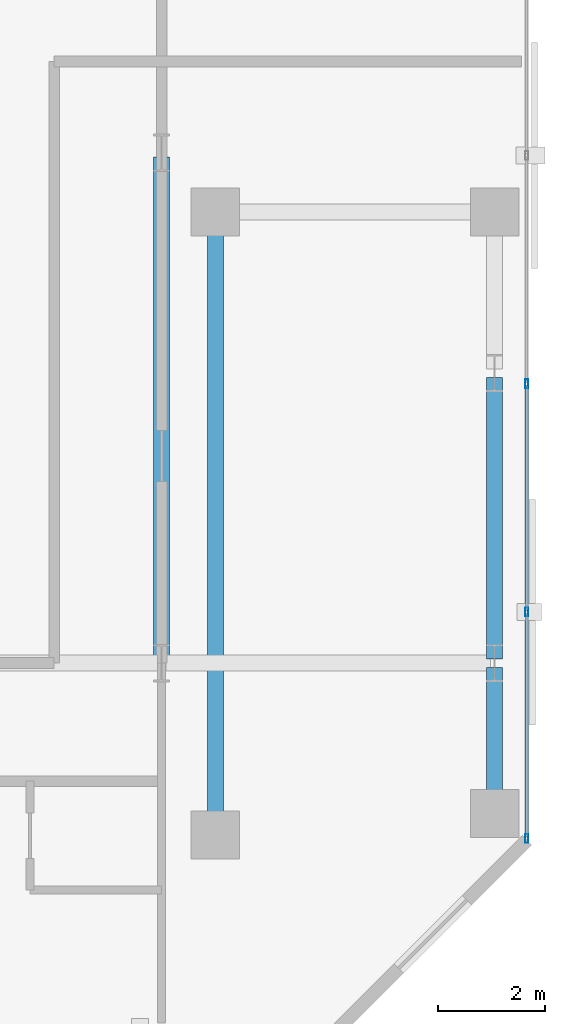
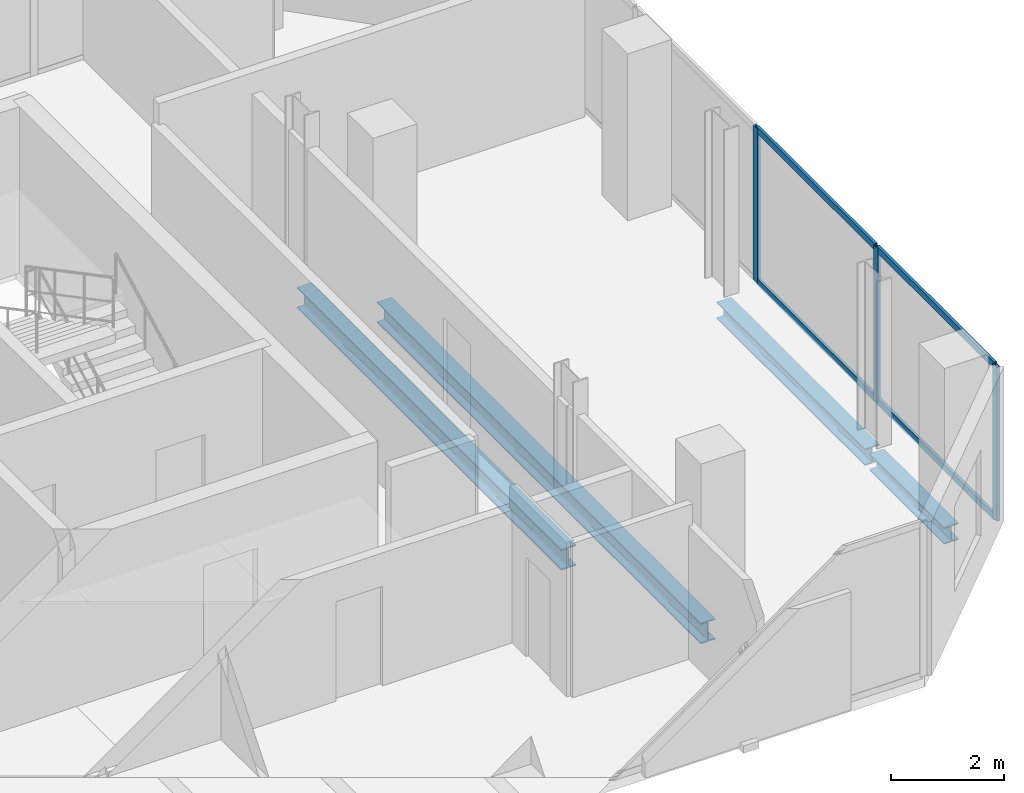
# One storey, part 16 of 33: 7 members, 4 beams, 1 element without a shape of its own.
"""IFC4 building model written with IfcOpenShell, lengths in metres."""

import ifcopenshell
import ifcopenshell.guid

model = None  # the IFC model being written
_history = None  # IfcOwnerHistory: only IFC2X3 demands one
_inside = {}  # id of a spatial element -> (the spatial element, [elements in it])
_under = {}  # id of a project, library or spatial element -> (it, [spatial elements below it])
_declared = {}  # id of a project -> (the project, [libraries it declares])
_typed = {}  # id of a type object -> (the type object, [elements of that type])
_made_of = {}  # id of a material, layer set ... -> (it, [elements and type objects made of it])


def new_model(schema):
    """Start an empty IFC model of exactly this schema.

    Asked for "IFC4X3", IfcOpenShell would pick the latest addendum, in which some entities
    have other attributes; the version numbers below select the first issue.
    IFC2X3 requires an IfcOwnerHistory on every rooted entity: one is made here for all.
    """
    global model, _history
    if schema == "IFC4X3":
        model = ifcopenshell.file(schema_version=(4, 3, 0, 0))
    else:
        model = ifcopenshell.file(schema=schema)
    _inside.clear()
    _under.clear()
    _declared.clear()
    _typed.clear()
    _made_of.clear()
    _history = None
    if model.schema == "IFC2X3":
        org = make("IfcOrganization", Name="unknown")
        user = make(
            "IfcPersonAndOrganization",
            ThePerson=make("IfcPerson", FamilyName="unknown"),
            TheOrganization=org,
        )
        app = make(
            "IfcApplication",
            ApplicationDeveloper=org,
            Version="unknown",
            ApplicationFullName="unknown",
            ApplicationIdentifier="unknown",
        )
        _history = make(
            "IfcOwnerHistory",
            OwningUser=user,
            OwningApplication=app,
            ChangeAction="ADDED",
            CreationDate=0,
        )
    return model


def make(cls, **values):
    """One entity of the class cls with the attributes given. An attribute that is None is left unset."""
    return model.create_entity(
        cls, **{name: value for name, value in values.items() if value is not None}
    )


def rooted(cls, **values):
    """An entity with a GlobalId (a new one), such as an element, a storey or a relation."""
    return make(cls, GlobalId=ifcopenshell.guid.new(), OwnerHistory=_history, **values)


def si_unit(unit_type, name, prefix=None):
    """IfcSIUnit, for example si_unit("LENGTHUNIT", "METRE", prefix="MILLI")."""
    return make("IfcSIUnit", UnitType=unit_type, Prefix=prefix, Name=name)


def assignment(units):
    """IfcUnitAssignment: the units of a project."""
    return None if units is None else make("IfcUnitAssignment", Units=units)


def point(xyz):
    """IfcCartesianPoint."""
    return None if xyz is None else make("IfcCartesianPoint", Coordinates=xyz)


def direction(xyz):
    """IfcDirection."""
    return None if xyz is None else make("IfcDirection", DirectionRatios=xyz)


def frame(location, z_axis=None, x_axis=None):
    """IfcAxis2Placement3D, a coordinate frame: its origin and axes. An axis left out is left unset."""
    return make(
        "IfcAxis2Placement3D",
        Location=point(location),
        Axis=direction(z_axis),
        RefDirection=direction(x_axis),
    )


def frame_2d(location, x_axis=None):
    """IfcAxis2Placement2D, a coordinate frame in the plane: its origin and x axis."""
    return make(
        "IfcAxis2Placement2D", Location=point(location), RefDirection=direction(x_axis)
    )


def origin():
    """The frame at (0, 0, 0) with its axes left unset."""
    return frame((0.0, 0.0, 0.0))


def origin_2d():
    """The frame at (0, 0) in the plane with its x axis left unset."""
    return frame_2d((0.0, 0.0))


def place(relative_to, where):
    """IfcLocalPlacement: puts the frame where relative to a parent placement (None: the world)."""
    return make(
        "IfcLocalPlacement", PlacementRelTo=relative_to, RelativePlacement=where
    )


def context(
    kind, dimensions, precision=None, world=None, true_north=None, identifier=None
):
    """IfcGeometricRepresentationContext, for example the 3D "Model" context."""
    return make(
        "IfcGeometricRepresentationContext",
        ContextIdentifier=identifier,
        ContextType=kind,
        CoordinateSpaceDimension=dimensions,
        Precision=precision,
        WorldCoordinateSystem=world,
        TrueNorth=true_north,
    )


def subcontext(parent, identifier, kind, view, scale=None):
    """IfcGeometricRepresentationSubContext, for example "Body" below "Model"."""
    return make(
        "IfcGeometricRepresentationSubContext",
        ContextIdentifier=identifier,
        ContextType=kind,
        ParentContext=parent,
        TargetScale=scale,
        TargetView=view,
    )


def project(units=None, contexts=None):
    """IfcProject with its units and contexts."""
    return rooted(
        "IfcProject",
        Name="project",
        RepresentationContexts=contexts,
        UnitsInContext=assignment(units),
    )


def spatial(cls, under=None, at=None, **own):
    """A site, building, storey or space (cls), placed at a placement, below another one or the project."""
    s = rooted(cls, ObjectPlacement=at, **own)
    if under is not None:
        _under.setdefault(under.id(), (under, []))[1].append(s)
    return s


def profile(cls, at=None, kind="AREA", **sizes):
    """A parametric profile (cls). Its sizes go by their IFC names, for example OverallWidth=200.0."""
    return make(cls, ProfileType=kind, Position=at, **sizes)


def hollow_rectangle(**sizes):
    """IfcRectangleHollowProfileDef."""
    return profile("IfcRectangleHollowProfileDef", **sizes)


def i_section(**sizes):
    """IfcIShapeProfileDef."""
    return profile("IfcIShapeProfileDef", **sizes)


def extrude(swept, where, along, depth):
    """IfcExtrudedAreaSolid: the profile swept, set in the frame where, extruded along a direction by depth."""
    return make(
        "IfcExtrudedAreaSolid",
        SweptArea=swept,
        Position=where,
        ExtrudedDirection=direction(along),
        Depth=depth,
    )


def shape(context_of_items, identifier, shape_type, items):
    """IfcShapeRepresentation: the items that make up one representation, for example the "Body"."""
    return make(
        "IfcShapeRepresentation",
        ContextOfItems=context_of_items,
        RepresentationIdentifier=identifier,
        RepresentationType=shape_type,
        Items=items,
    )


def material(Name=None, Category=None):
    """IfcMaterial."""
    return make("IfcMaterial", Name=Name, Category=Category)


def layer(
    of_material, thickness, ventilated=None, Name=None, Category=None, Priority=None
):
    """IfcMaterialLayer: one layer of a wall or slab, of a material (None: an air gap)."""
    return make(
        "IfcMaterialLayer",
        Material=of_material,
        LayerThickness=thickness,
        IsVentilated=ventilated,
        Name=Name,
        Category=Category,
        Priority=Priority,
    )


def layer_set(layers, Name=None):
    """IfcMaterialLayerSet."""
    return make("IfcMaterialLayerSet", MaterialLayers=layers, LayerSetName=Name)


def material_profile(
    of_material, cross_section, Name=None, Category=None, Priority=None
):
    """IfcMaterialProfile: a cross section and its material."""
    return make(
        "IfcMaterialProfile",
        Name=Name,
        Material=of_material,
        Profile=cross_section,
        Priority=Priority,
        Category=Category,
    )


def profile_set(profiles, Name=None, composite=None):
    """IfcMaterialProfileSet."""
    return make(
        "IfcMaterialProfileSet",
        Name=Name,
        MaterialProfiles=profiles,
        CompositeProfile=composite,
    )


def made_of(thing, what):
    """Note that an element or type object is made of a material, layer set ...; save() writes the relation."""
    if what is not None:
        _made_of.setdefault(what.id(), (what, []))[1].append(thing)
    return thing


def type_object(cls, material=None, **own):
    """A type object (cls), such as IfcWallType, which elements share."""
    return made_of(rooted(cls, **own), material)


def element(
    cls,
    number,
    at=None,
    inside=None,
    cuts=None,
    type_object=None,
    material=None,
    context=None,
    identifier="Body",
    shape_type=None,
    held_by="IfcProductDefinitionShape",
    body=None,
    shapes=None,
    **own,
):
    """One element of the class cls, such as IfcWall. Its Tag is "e" and its number.

    at: its placement. inside: the storey or other place that contains it. cuts: it is an
    opening in that element (IfcRelVoidsElement). A single representation is given by context,
    identifier, shape_type and body (its items); several are given by shapes. held_by: the class
    of the entity that holds the representations. save() writes the other relations.
    """
    e = rooted(cls, Tag="e%d" % number, ObjectPlacement=at, **own)
    if body is not None:
        shapes = [shape(context, identifier, shape_type, body)]
    if shapes is not None:
        e.Representation = make(held_by, Representations=shapes)
    if inside is not None:
        _inside.setdefault(inside.id(), (inside, []))[1].append(e)
    if cuts is not None:
        rooted(
            "IfcRelVoidsElement", RelatingBuildingElement=cuts, RelatedOpeningElement=e
        )
    if type_object is not None:
        _typed.setdefault(type_object.id(), (type_object, []))[1].append(e)
    return made_of(e, material)


def aggregate(whole, parts):
    """IfcRelAggregates: a whole, such as a stair, and the parts it consists of."""
    return rooted("IfcRelAggregates", RelatingObject=whole, RelatedObjects=parts)


def save(model, path):
    """Write the relations noted so far, then the file.

    IfcRelAggregates (storeys below a building ...), IfcRelContainedInSpatialStructure (elements
    in a storey), IfcRelDefinesByType, IfcRelAssociatesMaterial and IfcRelDeclares: one each for
    every whole, place, type object, material and project.
    """
    for whole, parts in _under.values():
        aggregate(whole, parts)
    for where, things in _inside.values():
        rooted(
            "IfcRelContainedInSpatialStructure",
            RelatedElements=things,
            RelatingStructure=where,
        )
    for kind, things in _typed.values():
        rooted("IfcRelDefinesByType", RelatedObjects=things, RelatingType=kind)
    for what, things in _made_of.values():
        rooted("IfcRelAssociatesMaterial", RelatedObjects=things, RelatingMaterial=what)
    for by, libraries in _declared.values():
        rooted("IfcRelDeclares", RelatingContext=by, RelatedDefinitions=libraries)
    model.write(path)


model = new_model("IFC4")

# Units and contexts
model_context = context("Model", 3, precision=1e-05, world=origin(), true_north=direction((0.0, 1.0)))
body_context = subcontext(model_context, "Body", "Model", "MODEL_VIEW")
ifc_project = project(units=[si_unit("LENGTHUNIT", "METRE"), si_unit("AREAUNIT", "SQUARE_METRE"), si_unit("VOLUMEUNIT", "CUBIC_METRE"), si_unit("PLANEANGLEUNIT", "RADIAN"), si_unit("MASSUNIT", "GRAM", prefix="KILO")], contexts=[model_context])

# Site, building, storey
site_placement = place(None, origin())
site = spatial("IfcSite", under=ifc_project, at=site_placement, CompositionType="ELEMENT")
building_placement = place(site_placement, origin())
building = spatial("IfcBuilding", under=site, at=building_placement, Name="Catumbela Crestline Tower", CompositionType="ELEMENT")
storey_placement = place(building_placement, frame((0.0, 0.0, 104.4)))
storey = spatial("IfcBuildingStorey", under=building, at=storey_placement, Name="L26", CompositionType="ELEMENT", Elevation=104.4)

# Beams
ifc_material_1 = material(Name="Structural steel S355J2", Category="steel")
ifc_material_profile_1 = material_profile(ifc_material_1, i_section(OverallWidth=0.3, OverallDepth=0.45, WebThickness=0.014, FlangeThickness=0.026, FilletRadius=0.027, at=origin_2d()), Name="HEB 450")
ifc_profile_set_1 = profile_set([ifc_material_profile_1], Name="Structural steel S355J2")
beam_type_1 = type_object("IfcBeamType", Name="BG-HEB450", PredefinedType="BEAM", material=ifc_profile_set_1)
beam_1_placement = place(storey_placement, frame((44.2, 30.88, -0.485), z_axis=(0.0, 1.0, 0.0), x_axis=(-1.0, 0.0, 0.0)))
element("IfcBeam", 1, at=beam_1_placement, inside=storey, type_object=beam_type_1, Name="L26 Beam BM-L26-SN32", PredefinedType="BEAM", context=body_context, shape_type="SweptSolid", body=[
    extrude(i_section(OverallWidth=0.3, OverallDepth=0.45, WebThickness=0.014, FlangeThickness=0.026, FilletRadius=0.027, at=origin_2d()), origin(), (0.0, 0.0, 1.0), 9.34),
])
beam_2_placement = place(storey_placement, frame((45.2, 27.68, -0.485), z_axis=(0.0, 1.0, 0.0), x_axis=(-1.0, 0.0, 0.0)))
element("IfcBeam", 2, at=beam_2_placement, inside=storey, type_object=beam_type_1, Name="L26 Beam BM-L26-SN33", PredefinedType="BEAM", context=body_context, shape_type="SweptSolid", body=[
    extrude(i_section(OverallWidth=0.3, OverallDepth=0.45, WebThickness=0.014, FlangeThickness=0.026, FilletRadius=0.027, at=origin_2d()), origin(), (0.0, 0.0, 1.0), 11.44),
])

# Curtain wall, members
ifc_material_2 = material(Name="Aluminium alloy AW-6060-T66", Category="aluminium")
ifc_layer = layer(ifc_material_2, 0.18, Name="Aluminium alloy AW-6060-T66")
ifc_layer_set = layer_set([ifc_layer], Name="Aluminium alloy AW-6060-T66")
curtain_wall_type = type_object("IfcCurtainWallType", Name="CWU-Z2", PredefinedType="USERDEFINED", material=ifc_layer_set)
curtain_wall_placement = place(storey_placement, origin())
curtain_wall = element("IfcCurtainWall", 3, at=curtain_wall_placement, inside=storey, type_object=curtain_wall_type, Name="L26 Unitised Curtain Wall CW-L26-E5S1", ObjectType="UNITISED", PredefinedType="USERDEFINED")
ifc_material_profile_2 = material_profile(ifc_material_2, hollow_rectangle(XDim=0.06, YDim=0.16, WallThickness=0.004, at=origin_2d()), Name="ALU 160x60x4")
ifc_profile_set_2 = profile_set([ifc_material_profile_2], Name="Aluminium alloy AW-6060-T66")
member_type_1 = type_object("IfcMemberType", Name="MUL-160X60", PredefinedType="MULLION", material=ifc_profile_set_2)
member_1_placement = place(storey_placement, frame((51.0, 27.5325, 0.0), z_axis=(0.0, 0.0, 1.0), x_axis=(-1.0, 0.0, 0.0)))
member_1 = element("IfcMember", 4, at=member_1_placement, type_object=member_type_1, Name="CWU-Z2 mullion 1", PredefinedType="MULLION", context=body_context, shape_type="SweptSolid", body=[
    extrude(hollow_rectangle(XDim=0.06, YDim=0.16, WallThickness=0.004, at=origin_2d()), origin(), (0.0, 0.0, 1.0), 3.33),
])
member_2_placement = place(storey_placement, frame((51.0, 31.75, 0.0), z_axis=(0.0, 0.0, 1.0), x_axis=(-1.0, 0.0, 0.0)))
member_2 = element("IfcMember", 5, at=member_2_placement, type_object=member_type_1, Name="CWU-Z2 mullion 2", PredefinedType="MULLION", context=body_context, shape_type="SweptSolid", body=[
    extrude(hollow_rectangle(XDim=0.06, YDim=0.16, WallThickness=0.004, at=origin_2d()), origin(), (0.0, 0.0, 1.0), 3.33),
])
member_3_placement = place(storey_placement, frame((51.0, 36.0, 0.0), z_axis=(0.0, 0.0, 1.0), x_axis=(-1.0, 0.0, 0.0)))
member_3 = element("IfcMember", 6, at=member_3_placement, type_object=member_type_1, Name="CWU-Z2 mullion 3", PredefinedType="MULLION", context=body_context, shape_type="SweptSolid", body=[
    extrude(hollow_rectangle(XDim=0.06, YDim=0.16, WallThickness=0.004, at=origin_2d()), origin(), (0.0, 0.0, 1.0), 3.33),
])

# Beams
ifc_material_profile_3 = material_profile(ifc_material_1, i_section(OverallWidth=0.3, OverallDepth=0.36, WebThickness=0.0125, FlangeThickness=0.0225, FilletRadius=0.027, at=origin_2d()), Name="HEB 360")
ifc_profile_set_3 = profile_set([ifc_material_profile_3], Name="Structural steel S355J2")
beam_type_2 = type_object("IfcBeamType", Name="BS-HEB360", PredefinedType="SPANDREL", material=ifc_profile_set_3)
beam_3_placement = place(storey_placement, frame((50.4, 28.08, -0.44), z_axis=(0.0, 1.0, 0.0), x_axis=(-1.0, 0.0, 0.0)))
element("IfcBeam", 7, at=beam_3_placement, inside=storey, type_object=beam_type_2, Name="L26 Spandrel SP-L26-SN34", PredefinedType="SPANDREL", context=body_context, shape_type="SweptSolid", body=[
    extrude(i_section(OverallWidth=0.3, OverallDepth=0.36, WebThickness=0.0125, FlangeThickness=0.0225, FilletRadius=0.027, at=origin_2d()), origin(), (0.0, 0.0, 1.0), 2.64),
])
beam_4_placement = place(storey_placement, frame((50.4, 30.88, -0.44), z_axis=(0.0, 1.0, 0.0), x_axis=(-1.0, 0.0, 0.0)))
element("IfcBeam", 8, at=beam_4_placement, inside=storey, type_object=beam_type_2, Name="L26 Spandrel SP-L26-SN35", PredefinedType="SPANDREL", context=body_context, shape_type="SweptSolid", body=[
    extrude(i_section(OverallWidth=0.3, OverallDepth=0.36, WebThickness=0.0125, FlangeThickness=0.0225, FilletRadius=0.027, at=origin_2d()), origin(), (0.0, 0.0, 1.0), 5.24),
])

# Member
ifc_material_profile_4 = material_profile(ifc_material_2, hollow_rectangle(XDim=0.06, YDim=0.14, WallThickness=0.004, at=origin_2d()), Name="ALU 140x60x4")
ifc_profile_set_4 = profile_set([ifc_material_profile_4], Name="Aluminium alloy AW-6060-T66")
member_type_2 = type_object("IfcMemberType", Name="TRN-140X60", PredefinedType="USERDEFINED", material=ifc_profile_set_4)
member_4_placement = place(storey_placement, frame((51.0, 27.565, 0.03), z_axis=(0.0, 1.0, 0.0), x_axis=(-1.0, 0.0, 0.0)))
member_4 = element("IfcMember", 9, at=member_4_placement, type_object=member_type_2, Name="CWU-Z2 transom 1.1", ObjectType="TRANSOM", PredefinedType="USERDEFINED", context=body_context, shape_type="SweptSolid", body=[
    extrude(hollow_rectangle(XDim=0.06, YDim=0.14, WallThickness=0.004, at=origin_2d()), origin(), (0.0, 0.0, 1.0), 4.1525),
])

member_5_placement = place(storey_placement, frame((51.0, 27.565, 3.3), z_axis=(0.0, 1.0, 0.0), x_axis=(-1.0, 0.0, 0.0)))
member_5 = element("IfcMember", 10, at=member_5_placement, type_object=member_type_2, Name="CWU-Z2 transom 1.2", ObjectType="TRANSOM", PredefinedType="USERDEFINED", context=body_context, shape_type="SweptSolid", body=[
    extrude(hollow_rectangle(XDim=0.06, YDim=0.14, WallThickness=0.004, at=origin_2d()), origin(), (0.0, 0.0, 1.0), 4.1525),
])

member_6_placement = place(storey_placement, frame((51.0, 31.7825, 0.03), z_axis=(0.0, 1.0, 0.0), x_axis=(-1.0, 0.0, 0.0)))
member_6 = element("IfcMember", 11, at=member_6_placement, type_object=member_type_2, Name="CWU-Z2 transom 2.1", ObjectType="TRANSOM", PredefinedType="USERDEFINED", context=body_context, shape_type="SweptSolid", body=[
    extrude(hollow_rectangle(XDim=0.06, YDim=0.14, WallThickness=0.004, at=origin_2d()), origin(), (0.0, 0.0, 1.0), 4.185),
])

member_7_placement = place(storey_placement, frame((51.0, 31.7825, 3.3), z_axis=(0.0, 1.0, 0.0), x_axis=(-1.0, 0.0, 0.0)))
member_7 = element("IfcMember", 12, at=member_7_placement, type_object=member_type_2, Name="CWU-Z2 transom 2.2", ObjectType="TRANSOM", PredefinedType="USERDEFINED", context=body_context, shape_type="SweptSolid", body=[
    extrude(hollow_rectangle(XDim=0.06, YDim=0.14, WallThickness=0.004, at=origin_2d()), origin(), (0.0, 0.0, 1.0), 4.185),
])

aggregate(curtain_wall, [member_1, member_2, member_3, member_4, member_5, member_6, member_7])

save(model, "model.ifc")
